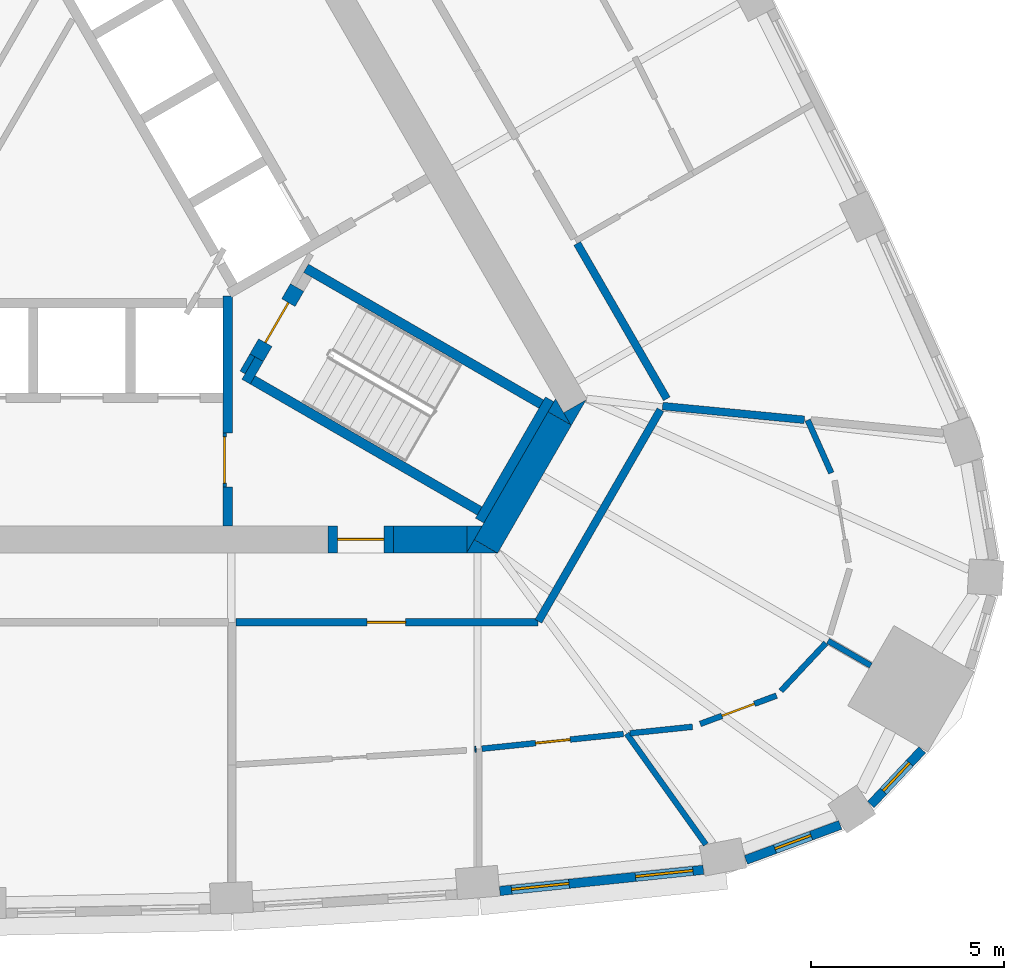
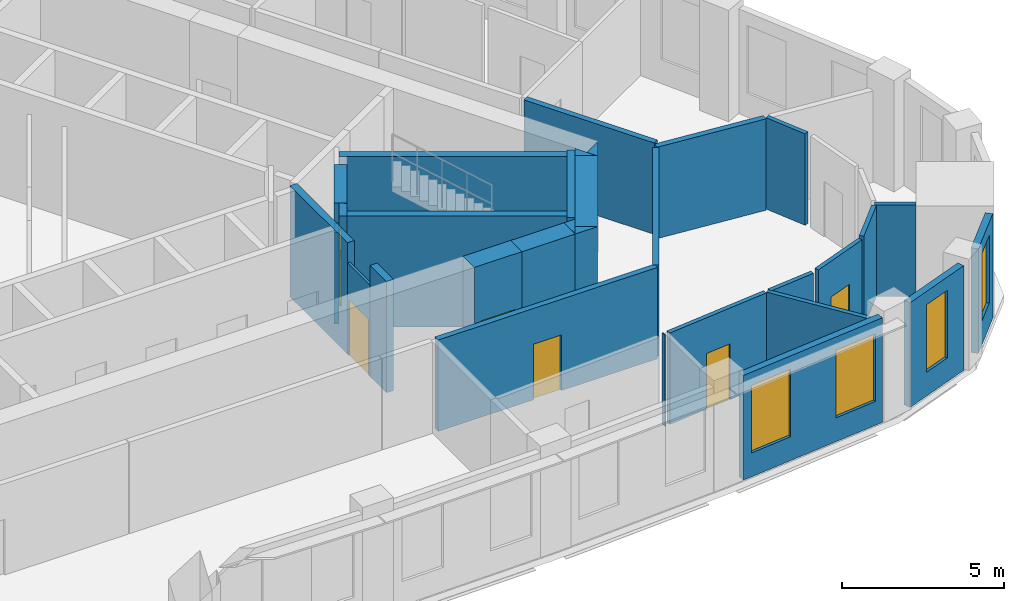
# One storey, part 6 of 10: 31 walls, 6 doors, 4 windows, 10 openings.
"""IFC4 building model written with IfcOpenShell, lengths in metres."""

from ifc_helpers import new_model, si_unit, direction, frame, frame_2d, origin, place, context, subcontext, project, spatial, polyline, rectangle, outline, extrude, material, layer, layer_set, type_object, element, fill, save


model = new_model("IFC4")

# Units and contexts
model_context = context("Model", 3, precision=1e-05, world=origin(), true_north=direction((0.0, 1.0)))
body_context = subcontext(model_context, "Body", "Model", "MODEL_VIEW")
ifc_project = project(units=[si_unit("LENGTHUNIT", "METRE"), si_unit("AREAUNIT", "SQUARE_METRE"), si_unit("VOLUMEUNIT", "CUBIC_METRE"), si_unit("PLANEANGLEUNIT", "RADIAN"), si_unit("MASSUNIT", "GRAM", prefix="KILO")], contexts=[model_context])

# Site, building, storey
site_placement = place(None, origin())
site = spatial("IfcSite", under=ifc_project, at=site_placement, CompositionType="ELEMENT")
building_placement = place(site_placement, origin())
building = spatial("IfcBuilding", under=site, at=building_placement, Name="Mestral Congress Tower", CompositionType="ELEMENT")
storey_placement = place(building_placement, frame((0.0, 0.0, 226.800048828125)))
storey = spatial("IfcBuildingStorey", under=building, at=storey_placement, Name="L53", CompositionType="ELEMENT", Elevation=226.800048828125)

# Wall
ifc_material_1 = material(Name="Fire-rated board partition")
ifc_layer_1 = layer(ifc_material_1, 0.14990234375)
ifc_layer_set_1 = layer_set([ifc_layer_1], Name="Fire-rated board partition")
wall_type_1 = type_object("IfcWallType", Name="Core partition 150", PredefinedType="PARTITIONING", material=ifc_layer_set_1)
wall_1_placement = place(storey_placement, frame((6.94482421875, -5.22216796875, 0.0), z_axis=(0.0, 0.0, 1.0), x_axis=(-0.499818422106, -0.866130212453, 0.0)))
element("IfcWall", 1, at=wall_1_placement, inside=storey, type_object=wall_type_1, Name="L53 core wall", PredefinedType="PARTITIONING", context=body_context, shape_type="SweptSolid", body=[
    extrude(rectangle(XDim=0.513916015625, YDim=0.14990234375, at=frame_2d((0.2568359375, 0.0))), origin(), (0.0, 0.0, 1.0), 3.449951171875),
])

# Wall, opening, door
ifc_layer_2 = layer(ifc_material_1, 0.090087890625)
ifc_layer_set_2 = layer_set([ifc_layer_2], Name="Fire-rated board partition")
wall_type_2 = type_object("IfcWallType", Name="Core partition 150 door-wall 90", PredefinedType="PARTITIONING", material=ifc_layer_set_2)
wall_2_placement = place(storey_placement, frame((6.219970703125, -7.23681640625, 0.0), z_axis=(0.0, 0.0, 1.0), x_axis=(0.0, -1.0, 0.0)))
wall_2 = element("IfcWall", 2, at=wall_2_placement, inside=storey, type_object=wall_type_2, Name="L53 door wall", PredefinedType="PARTITIONING", context=body_context, shape_type="SweptSolid", body=[
    extrude(rectangle(XDim=1.400146484375, YDim=0.090087890625, at=frame_2d((0.7001953125, 0.0))), origin(), (0.0, 0.0, 1.0), 3.449951171875),
])
opening_1_placement = place(wall_2_placement, frame((0.10009765625, 0.0, 0.0)))
opening_1 = element("IfcOpeningElement", 3, at=opening_1_placement, cuts=wall_2, Name="Opening LB0-WL1", PredefinedType="OPENING", context=body_context, shape_type="SweptSolid", body=[
    extrude(rectangle(XDim=1.199951171875, YDim=2.10009765625, at=frame_2d((0.60009765625, 1.050048828125))), frame((0.0, 0.054931640625, 0.0), z_axis=(0.0, -1.0, 0.0), x_axis=(1.0, 0.0, 0.0)), (0.0, 0.0, 1.0), 0.110107421875),
])
ifc_material_2 = material(Name="Fire-rated steel door set", Category="steel")
door_type_1 = type_object("IfcDoorType", Name="Core door LB 1200x2100", OperationType="SINGLE_SWING_LEFT", PredefinedType="DOOR", material=ifc_material_2)
door_1_placement = place(opening_1_placement, origin())
door_1 = element("IfcDoor", 4, at=door_1_placement, inside=storey, type_object=door_type_1, Name="Door LB0-WL1", OperationType="SINGLE_SWING_LEFT", OverallHeight=2.10009765625, OverallWidth=1.199951171875, PredefinedType="DOOR", context=body_context, shape_type="SweptSolid", body=[
    extrude(rectangle(XDim=1.199951171875, YDim=2.10009765625, at=frame_2d((0.60009765625, 1.050048828125))), frame((0.0, 0.02490234375, 0.0), z_axis=(0.0, -1.0, 0.0), x_axis=(1.0, 0.0, 0.0)), (0.0, 0.0, 1.0), 0.050048828125),
])
fill(opening_1, door_1)

# Walls
ifc_material_3 = material(Name="Concrete C60/75", Category="concrete")
ifc_layer_3 = layer(ifc_material_3, 0.699951171875)
ifc_layer_set_3 = layer_set([ifc_layer_3], Name="Concrete C60/75")
wall_type_3 = type_object("IfcWallType", Name="Core wall RC 700", PredefinedType="SOLIDWALL", material=ifc_layer_set_3)
placement = place(storey_placement, origin())
element("IfcWall", 5, at=placement, inside=storey, type_object=wall_type_3, Name="L53 core wall", PredefinedType="SOLIDWALL", context=body_context, shape_type="SweptSolid", body=[
    extrude(outline(polyline([(15.213134765625, -7.050048828125), (15.019287109375, -6.714111328125), (15.60107421875, -6.3779296875), (15.213134765625, -7.050048828125)])), origin(), (0.0, 0.0, 1.0), 4.199951171875),
])
wall_4_placement = place(storey_placement, frame((13.002685546875, -10.1787109375, 0.0), z_axis=(0.0, 0.0, 1.0), x_axis=(0.499972675833, 0.866041178825, 0.0)))
element("IfcWall", 6, at=wall_4_placement, inside=storey, type_object=wall_type_3, Name="L53 core wall", PredefinedType="SOLIDWALL", context=body_context, shape_type="SweptSolid", body=[
    extrude(rectangle(XDim=3.828857421875, YDim=0.699951171875, at=frame_2d((1.91455078125, 0.0))), origin(), (0.0, 0.0, 1.0), 4.199951171875),
])
element("IfcWall", 7, at=placement, inside=storey, type_object=wall_type_3, Name="L53 core wall", PredefinedType="SOLIDWALL", context=body_context, shape_type="SweptSolid", body=[
    extrude(outline(polyline([(12.698486328125, -10.00537109375), (13.295654296875, -10.35009765625), (12.49951171875, -10.35009765625), (12.698486328125, -10.00537109375)])), origin(), (0.0, 0.0, 1.0), 4.199951171875),
])
element("IfcWall", 8, at=placement, inside=storey, type_object=wall_type_3, Name="L53 core wall", PredefinedType="SOLIDWALL", context=body_context, shape_type="SweptSolid", body=[
    extrude(outline(polyline([(14.80908203125, -6.35009765625), (15.197265625, -7.022216796875), (14.614990234375, -6.68603515625), (14.80908203125, -6.35009765625)])), origin(), (0.0, 0.0, 1.0), 4.199951171875),
])
wall_7_placement = place(storey_placement, frame((10.6044921875, -10.0, 0.0), z_axis=(0.0, 0.0, 1.0), x_axis=(1.0, 0.0, 0.0)))
element("IfcWall", 9, at=wall_7_placement, inside=storey, type_object=wall_type_3, Name="L53 core wall", PredefinedType="SOLIDWALL", context=body_context, shape_type="SweptSolid", body=[
    extrude(rectangle(XDim=1.909423828125, YDim=0.699951171875, at=frame_2d((0.95458984375, 0.0))), origin(), (0.0, 0.0, 1.0), 4.199951171875),
])
element("IfcWall", 10, at=placement, inside=storey, type_object=wall_type_3, Name="L53 core wall", PredefinedType="SOLIDWALL", context=body_context, shape_type="SweptSolid", body=[
    extrude(outline(polyline([(12.90380859375, -9.64990234375), (12.515869140625, -10.322021484375), (12.515869140625, -9.64990234375), (12.90380859375, -9.64990234375)])), origin(), (0.0, 0.0, 1.0), 4.199951171875),
])

# Wall, opening, door
wall_9_placement = place(storey_placement, frame((10.6044921875, -10.0, 0.0), z_axis=(0.0, 0.0, 1.0), x_axis=(-1.0, 0.0, 0.0)))
wall_9 = element("IfcWall", 11, at=wall_9_placement, inside=storey, type_object=wall_type_3, Name="L53 door wall", PredefinedType="SOLIDWALL", context=body_context, shape_type="SweptSolid", body=[
    extrude(rectangle(XDim=1.699951171875, YDim=0.699951171875, at=frame_2d((0.85009765625, 0.0))), origin(), (0.0, 0.0, 1.0), 4.199951171875),
])
opening_2_placement = place(wall_9_placement, frame((0.25, 0.0, 0.0)))
opening_2 = element("IfcOpeningElement", 12, at=opening_2_placement, cuts=wall_9, Name="Opening XD1", PredefinedType="OPENING", context=body_context, shape_type="SweptSolid", body=[
    extrude(rectangle(XDim=1.199951171875, YDim=2.10009765625, at=frame_2d((0.60009765625, 1.050048828125))), frame((0.0, 0.35986328125, 0.0), z_axis=(0.0, -1.0, 0.0), x_axis=(1.0, 0.0, 0.0)), (0.0, 0.0, 1.0), 0.719970703125),
])
door_type_2 = type_object("IfcDoorType", Name="Core door XD 1200x2100", OperationType="SINGLE_SWING_LEFT", PredefinedType="DOOR", material=ifc_material_2)
door_2_placement = place(opening_2_placement, origin())
door_2 = element("IfcDoor", 13, at=door_2_placement, inside=storey, type_object=door_type_2, Name="Door XD1", OperationType="SINGLE_SWING_LEFT", OverallHeight=2.10009765625, OverallWidth=1.199951171875, PredefinedType="DOOR", context=body_context, shape_type="SweptSolid", body=[
    extrude(rectangle(XDim=1.199951171875, YDim=2.10009765625, at=frame_2d((0.60009765625, 1.050048828125))), frame((0.0, 0.02490234375, 0.0), z_axis=(0.0, -1.0, 0.0), x_axis=(1.0, 0.0, 0.0)), (0.0, 0.0, 1.0), 0.050048828125),
])
fill(opening_2, door_2)

# Wall, openings, windows
ifc_material_4 = material(Name="Precast concrete C40/50 with limestone facing", Category="masonry")
ifc_layer_4 = layer(ifc_material_4, 0.239990234375)
ifc_layer_set_4 = layer_set([ifc_layer_4], Name="Precast concrete C40/50 with limestone facing")
wall_type_4 = type_object("IfcWallType", Name="Facade stone wall 240", PredefinedType="SOLIDWALL", material=ifc_layer_set_4)
wall_10_placement = place(storey_placement, frame((13.362060546875, -19.12109375, 0.0), z_axis=(0.0, 0.0, 1.0), x_axis=(0.994621961215, 0.103571976272, 0.0)))
wall_10 = element("IfcWall", 14, at=wall_10_placement, inside=storey, type_object=wall_type_4, Name="Facade wall F0-05", PredefinedType="SOLIDWALL", context=body_context, shape_type="SweptSolid", body=[
    extrude(rectangle(XDim=5.310791015625, YDim=0.239990234375, at=frame_2d((2.6552734375, 0.0))), origin(), (0.0, 0.0, 1.0), 3.949951171875),
])
opening_3_placement = place(wall_10_placement, frame((0.306396484375, 0.0, 0.89990234375)))
opening_3 = element("IfcOpeningElement", 15, at=opening_3_placement, cuts=wall_10, Name="Opening W4", PredefinedType="OPENING", context=body_context, shape_type="SweptSolid", body=[
    extrude(rectangle(XDim=1.5, YDim=2.550048828125, at=frame_2d((0.75, 1.27490234375))), frame((0.0, 0.1298828125, 0.0), z_axis=(0.0, -1.0, 0.0), x_axis=(1.0, 0.0, 0.0)), (0.0, 0.0, 1.0), 0.260009765625),
])
opening_4_placement = place(wall_10_placement, frame((3.539306640625, 0.0, 0.89990234375)))
opening_4 = element("IfcOpeningElement", 16, at=opening_4_placement, cuts=wall_10, Name="Opening W4", PredefinedType="OPENING", context=body_context, shape_type="SweptSolid", body=[
    extrude(rectangle(XDim=1.5, YDim=2.550048828125, at=frame_2d((0.75, 1.27490234375))), frame((0.0, 0.1298828125, 0.0), z_axis=(0.0, -1.0, 0.0), x_axis=(1.0, 0.0, 0.0)), (0.0, 0.0, 1.0), 0.260009765625),
])
ifc_material_5 = material(Name="Clear low-emissivity double glazing", Category="glass")
window_type_1 = type_object("IfcWindowType", Name="Facade punched window 1500 x 2550 sill 900", PartitioningType="SINGLE_PANEL", PredefinedType="WINDOW", material=ifc_material_5)
window_1_placement = place(opening_3_placement, origin())
window_1 = element("IfcWindow", 17, at=window_1_placement, inside=storey, type_object=window_type_1, Name="Window F0-05a", OverallHeight=2.550048828125, OverallWidth=1.5, PartitioningType="SINGLE_PANEL", PredefinedType="WINDOW", context=body_context, shape_type="SweptSolid", body=[
    extrude(rectangle(XDim=1.5, YDim=2.550048828125, at=frame_2d((0.75, 1.27490234375))), frame((0.0, 0.0400390625, 0.0), z_axis=(0.0, -1.0, 0.0), x_axis=(1.0, 0.0, 0.0)), (0.0, 0.0, 1.0), 0.06005859375),
])
fill(opening_3, window_1)
window_2_placement = place(opening_4_placement, origin())
window_2 = element("IfcWindow", 18, at=window_2_placement, inside=storey, type_object=window_type_1, Name="Window F0-05b", OverallHeight=2.550048828125, OverallWidth=1.5, PartitioningType="SINGLE_PANEL", PredefinedType="WINDOW", context=body_context, shape_type="SweptSolid", body=[
    extrude(rectangle(XDim=1.5, YDim=2.550048828125, at=frame_2d((0.75, 1.27490234375))), frame((0.0, 0.0400390625, 0.0), z_axis=(0.0, -1.0, 0.0), x_axis=(1.0, 0.0, 0.0)), (0.0, 0.0, 1.0), 0.06005859375),
])
fill(opening_4, window_2)

# Wall, opening, window
wall_11_placement = place(storey_placement, frame((19.747802734375, -18.31396484375, 0.0), z_axis=(0.0, 0.0, 1.0), x_axis=(0.937569171184, 0.347798863203, 0.0)))
wall_11 = element("IfcWall", 19, at=wall_11_placement, inside=storey, type_object=wall_type_4, Name="Facade wall K0-0", PredefinedType="SOLIDWALL", context=body_context, shape_type="SweptSolid", body=[
    extrude(rectangle(XDim=2.609130859375, YDim=0.239990234375, at=frame_2d((1.3046875, 0.0))), origin(), (0.0, 0.0, 1.0), 3.949951171875),
])
opening_5_placement = place(wall_11_placement, frame((0.8046875, 0.0, 0.89990234375)))
opening_5 = element("IfcOpeningElement", 20, at=opening_5_placement, cuts=wall_11, Name="Opening W5", PredefinedType="OPENING", context=body_context, shape_type="SweptSolid", body=[
    extrude(rectangle(XDim=1.0, YDim=2.550048828125, at=frame_2d((0.5, 1.27490234375))), frame((0.0, 0.1298828125, 0.0), z_axis=(0.0, -1.0, 0.0), x_axis=(1.0, 0.0, 0.0)), (0.0, 0.0, 1.0), 0.260009765625),
])
window_type_2 = type_object("IfcWindowType", Name="Facade punched window 1000 x 2550 sill 900", PartitioningType="SINGLE_PANEL", PredefinedType="WINDOW", material=ifc_material_5)
window_3_placement = place(opening_5_placement, origin())
window_3 = element("IfcWindow", 21, at=window_3_placement, inside=storey, type_object=window_type_2, Name="Window K0-0", OverallHeight=2.550048828125, OverallWidth=1.0, PartitioningType="SINGLE_PANEL", PredefinedType="WINDOW", context=body_context, shape_type="SweptSolid", body=[
    extrude(rectangle(XDim=1.0, YDim=2.550048828125, at=frame_2d((0.5, 1.27490234375))), frame((0.0, 0.0400390625, 0.0), z_axis=(0.0, -1.0, 0.0), x_axis=(1.0, 0.0, 0.0)), (0.0, 0.0, 1.0), 0.06005859375),
])
fill(opening_5, window_3)

wall_12_placement = place(storey_placement, frame((22.989013671875, -16.87890625, 0.0), z_axis=(0.0, 0.0, 1.0), x_axis=(0.684770274166, 0.728758994194, 0.0)))
wall_12 = element("IfcWall", 22, at=wall_12_placement, inside=storey, type_object=wall_type_4, Name="Facade wall K0-1", PredefinedType="SOLIDWALL", context=body_context, shape_type="SweptSolid", body=[
    extrude(rectangle(XDim=1.947998046875, YDim=0.239990234375, at=frame_2d((0.97412109375, 0.0))), origin(), (0.0, 0.0, 1.0), 3.949951171875),
])
opening_6_placement = place(wall_12_placement, frame((0.47412109375, 0.0, 0.89990234375)))
opening_6 = element("IfcOpeningElement", 23, at=opening_6_placement, cuts=wall_12, Name="Opening W5", PredefinedType="OPENING", context=body_context, shape_type="SweptSolid", body=[
    extrude(rectangle(XDim=1.0, YDim=2.550048828125, at=frame_2d((0.5, 1.27490234375))), frame((0.0, 0.1298828125, 0.0), z_axis=(0.0, -1.0, 0.0), x_axis=(1.0, 0.0, 0.0)), (0.0, 0.0, 1.0), 0.260009765625),
])
window_4_placement = place(opening_6_placement, origin())
window_4 = element("IfcWindow", 24, at=window_4_placement, inside=storey, type_object=window_type_2, Name="Window K0-1", OverallHeight=2.550048828125, OverallWidth=1.0, PartitioningType="SINGLE_PANEL", PredefinedType="WINDOW", context=body_context, shape_type="SweptSolid", body=[
    extrude(rectangle(XDim=1.0, YDim=2.550048828125, at=frame_2d((0.5, 1.27490234375))), frame((0.0, 0.0400390625, 0.0), z_axis=(0.0, -1.0, 0.0), x_axis=(1.0, 0.0, 0.0)), (0.0, 0.0, 1.0), 0.06005859375),
])
fill(opening_6, window_4)

# Walls
ifc_material_6 = material(Name="Plasterboard partition on steel studs", Category="steel")
ifc_layer_5 = layer(ifc_material_6, 0.14990234375)
ifc_layer_set_5 = layer_set([ifc_layer_5], Name="Plasterboard partition on steel studs")
wall_type_5 = type_object("IfcWallType", Name="Office partition 150", PredefinedType="PARTITIONING", material=ifc_layer_set_5)
wall_13_placement = place(storey_placement, frame((12.713134765625, -15.448486328125, 0.0), z_axis=(0.0, 0.0, 1.0), x_axis=(0.995106821048, 0.098804932586, 0.0)))
element("IfcWall", 25, at=wall_13_placement, inside=storey, type_object=wall_type_5, Name="Partition", PredefinedType="PARTITIONING", context=body_context, shape_type="SweptSolid", body=[
    extrude(rectangle(XDim=0.03466796875, YDim=0.14990234375, at=frame_2d((0.017333984375, 0.0))), origin(), (0.0, 0.0, 1.0), 3.449951171875),
])
wall_14_placement = place(storey_placement, frame((16.65478515625, -15.0380859375, 0.0), z_axis=(0.0, 0.0, 1.0), x_axis=(0.580996489012, -0.813906063226, 0.0)))
element("IfcWall", 26, at=wall_14_placement, inside=storey, type_object=wall_type_5, Name="Partition", PredefinedType="PARTITIONING", context=body_context, shape_type="SweptSolid", body=[
    extrude(rectangle(XDim=3.53564453125, YDim=0.14990234375, at=frame_2d((1.767822265625, 0.0))), origin(), (0.0, 0.0, 1.0), 3.449951171875),
])

# Wall, opening, door
wall_15_placement = place(storey_placement, frame((16.569091796875, -15.047119140625, 0.0), z_axis=(0.0, 0.0, 1.0), x_axis=(-0.994621532294, -0.103576095197, 0.0)))
wall_15 = element("IfcWall", 27, at=wall_15_placement, inside=storey, type_object=wall_type_5, Name="Partition", PredefinedType="PARTITIONING", context=body_context, shape_type="SweptSolid", body=[
    extrude(rectangle(XDim=3.691162109375, YDim=0.14990234375, at=frame_2d((1.845703125, 0.0))), origin(), (0.0, 0.0, 1.0), 3.449951171875),
])
opening_7_placement = place(wall_15_placement, frame((1.39111328125, 0.0, 0.0)))
opening_7 = element("IfcOpeningElement", 28, at=opening_7_placement, cuts=wall_15, Name="Opening O08-008", PredefinedType="OPENING", context=body_context, shape_type="SweptSolid", body=[
    extrude(rectangle(XDim=0.89990234375, YDim=2.10009765625, at=frame_2d((0.449951171875, 1.050048828125))), frame((0.0, 0.0849609375, 0.0), z_axis=(0.0, -1.0, 0.0), x_axis=(1.0, 0.0, 0.0)), (0.0, 0.0, 1.0), 0.169921875),
])
ifc_material_7 = material(Name="Timber door set", Category="wood")
door_type_3 = type_object("IfcDoorType", Name="Office door 900x2100", OperationType="SINGLE_SWING_LEFT", PredefinedType="DOOR", material=ifc_material_7)
door_3_placement = place(opening_7_placement, origin())
door_3 = element("IfcDoor", 29, at=door_3_placement, inside=storey, type_object=door_type_3, Name="Door O08-008", OperationType="SINGLE_SWING_LEFT", OverallHeight=2.10009765625, OverallWidth=0.89990234375, PredefinedType="DOOR", context=body_context, shape_type="SweptSolid", body=[
    extrude(rectangle(XDim=0.89990234375, YDim=2.10009765625, at=frame_2d((0.449951171875, 1.050048828125))), frame((0.0, 0.02490234375, 0.0), z_axis=(0.0, -1.0, 0.0), x_axis=(1.0, 0.0, 0.0)), (0.0, 0.0, 1.0), 0.050048828125),
])
fill(opening_7, door_3)

# Walls
wall_16_placement = place(storey_placement, frame((21.876708984375, -12.63037109375, 0.0), z_axis=(0.0, 0.0, 1.0), x_axis=(0.86599869919, -0.500046250861, 0.0)))
element("IfcWall", 30, at=wall_16_placement, inside=storey, type_object=wall_type_5, Name="Partition", PredefinedType="PARTITIONING", context=body_context, shape_type="SweptSolid", body=[
    extrude(rectangle(XDim=1.28369140625, YDim=0.14990234375, at=frame_2d((0.641845703125, 0.0))), origin(), (0.0, 0.0, 1.0), 3.449951171875),
])
wall_17_placement = place(storey_placement, frame((16.740478515625, -15.029296875, 0.0), z_axis=(0.0, 0.0, 1.0), x_axis=(0.994614871477, 0.103640037805, 0.0)))
element("IfcWall", 31, at=wall_17_placement, inside=storey, type_object=wall_type_5, Name="Partition", PredefinedType="PARTITIONING", context=body_context, shape_type="SweptSolid", body=[
    extrude(rectangle(XDim=1.630126953125, YDim=0.14990234375, at=frame_2d((0.81494140625, 0.0))), origin(), (0.0, 0.0, 1.0), 3.449951171875),
])

# Wall, opening, door
wall_18_placement = place(storey_placement, frame((20.540771484375, -14.05224609375, 0.0), z_axis=(0.0, 0.0, 1.0), x_axis=(-0.937602119917, -0.347710029662, 0.0)))
wall_18 = element("IfcWall", 32, at=wall_18_placement, inside=storey, type_object=wall_type_5, Name="Partition", PredefinedType="PARTITIONING", context=body_context, shape_type="SweptSolid", body=[
    extrude(rectangle(XDim=2.10986328125, YDim=0.14990234375, at=frame_2d((1.054931640625, 0.0))), origin(), (0.0, 0.0, 1.0), 3.449951171875),
])
opening_8_placement = place(wall_18_placement, frame((0.609619140625, 0.0, 0.0)))
opening_8 = element("IfcOpeningElement", 33, at=opening_8_placement, cuts=wall_18, Name="Opening O08-009", PredefinedType="OPENING", context=body_context, shape_type="SweptSolid", body=[
    extrude(rectangle(XDim=0.89990234375, YDim=2.10009765625, at=frame_2d((0.449951171875, 1.050048828125))), frame((0.0, 0.0849609375, 0.0), z_axis=(0.0, -1.0, 0.0), x_axis=(1.0, 0.0, 0.0)), (0.0, 0.0, 1.0), 0.169921875),
])
door_4_placement = place(opening_8_placement, origin())
door_4 = element("IfcDoor", 34, at=door_4_placement, inside=storey, type_object=door_type_3, Name="Door O08-009", OperationType="SINGLE_SWING_RIGHT", OverallHeight=2.10009765625, OverallWidth=0.89990234375, PredefinedType="DOOR", context=body_context, shape_type="SweptSolid", body=[
    extrude(rectangle(XDim=0.89990234375, YDim=2.10009765625, at=frame_2d((0.449951171875, 1.050048828125))), frame((0.0, 0.02490234375, 0.0), z_axis=(0.0, -1.0, 0.0), x_axis=(1.0, 0.0, 0.0)), (0.0, 0.0, 1.0), 0.050048828125),
])
fill(opening_8, door_4)

# Walls
wall_19_placement = place(storey_placement, frame((20.656005859375, -13.929443359375, 0.0), z_axis=(0.0, 0.0, 1.0), x_axis=(0.684716940988, 0.728809104447, 0.0)))
element("IfcWall", 35, at=wall_19_placement, inside=storey, type_object=wall_type_5, Name="Partition", PredefinedType="PARTITIONING", context=body_context, shape_type="SweptSolid", body=[
    extrude(rectangle(XDim=1.705322265625, YDim=0.14990234375, at=frame_2d((0.8525390625, 0.0))), origin(), (0.0, 0.0, 1.0), 3.449951171875),
])
wall_20_placement = place(storey_placement, frame((21.962890625, -8.27587890625, 0.0), z_axis=(0.0, 0.0, 1.0), x_axis=(-0.407510458183, 0.913200540118, 0.0)))
element("IfcWall", 36, at=wall_20_placement, inside=storey, type_object=wall_type_5, Name="Partition", PredefinedType="PARTITIONING", context=body_context, shape_type="SweptSolid", body=[
    extrude(rectangle(XDim=1.501953125, YDim=0.14990234375, at=frame_2d((0.7509765625, 0.0))), origin(), (0.0, 0.0, 1.0), 3.449951171875),
])
ifc_material_8 = material(Name="Dense masonry wall, plastered", Category="masonry")
ifc_layer_6 = layer(ifc_material_8, 0.199951171875)
ifc_layer_set_6 = layer_set([ifc_layer_6], Name="Dense masonry wall, plastered")
wall_type_6 = type_object("IfcWallType", Name="Office tenancy wall 200", PredefinedType="PARTITIONING", material=ifc_layer_set_6)
wall_21_placement = place(storey_placement, frame((17.5859375, -6.540283203125, 0.0), z_axis=(0.0, 0.0, 1.0), x_axis=(0.995358181524, -0.096239755158, 0.0)))
element("IfcWall", 37, at=wall_21_placement, inside=storey, type_object=wall_type_6, Name="Tenancy wall", PredefinedType="PARTITIONING", context=body_context, shape_type="SweptSolid", body=[
    extrude(rectangle(XDim=3.696044921875, YDim=0.199951171875, at=frame_2d((1.84814453125, 0.0))), origin(), (0.0, 0.0, 1.0), 3.449951171875),
])

# Wall, opening, door
wall_22_placement = place(storey_placement, frame((6.516845703125, -12.14990234375, 0.0), z_axis=(0.0, 0.0, 1.0), x_axis=(1.0, 0.0, 0.0)))
wall_22 = element("IfcWall", 38, at=wall_22_placement, inside=storey, type_object=wall_type_6, Name="Tenancy wall", PredefinedType="PARTITIONING", context=body_context, shape_type="SweptSolid", body=[
    extrude(rectangle(XDim=7.830322265625, YDim=0.199951171875, at=frame_2d((3.9150390625, 0.0))), origin(), (0.0, 0.0, 1.0), 3.449951171875),
])
opening_9_placement = place(wall_22_placement, frame((3.39990234375, 0.0, 0.0)))
opening_9 = element("IfcOpeningElement", 39, at=opening_9_placement, cuts=wall_22, Name="Opening O08-011", PredefinedType="OPENING", context=body_context, shape_type="SweptSolid", body=[
    extrude(rectangle(XDim=1.0, YDim=2.10009765625, at=frame_2d((0.5, 1.050048828125))), frame((0.0, 0.10986328125, 0.0), z_axis=(0.0, -1.0, 0.0), x_axis=(1.0, 0.0, 0.0)), (0.0, 0.0, 1.0), 0.219970703125),
])
ifc_material_9 = material(Name="Fire-rated timber door set", Category="wood")
door_type_4 = type_object("IfcDoorType", Name="Office tenancy entrance door 1000x2100", OperationType="SINGLE_SWING_LEFT", PredefinedType="DOOR", material=ifc_material_9)
door_5_placement = place(opening_9_placement, origin())
door_5 = element("IfcDoor", 40, at=door_5_placement, inside=storey, type_object=door_type_4, Name="Door O08-011", OperationType="SINGLE_SWING_LEFT", OverallHeight=2.10009765625, OverallWidth=1.0, PredefinedType="DOOR", context=body_context, shape_type="SweptSolid", body=[
    extrude(rectangle(XDim=1.0, YDim=2.10009765625, at=frame_2d((0.5, 1.050048828125))), frame((0.0, 0.02490234375, 0.0), z_axis=(0.0, -1.0, 0.0), x_axis=(1.0, 0.0, 0.0)), (0.0, 0.0, 1.0), 0.050048828125),
])
fill(opening_9, door_5)

# Walls
wall_23_placement = place(storey_placement, frame((14.362060546875, -12.1240234375, 0.0), z_axis=(0.0, 0.0, 1.0), x_axis=(0.500017005442, 0.866015585465, 0.0)))
element("IfcWall", 41, at=wall_23_placement, inside=storey, type_object=wall_type_6, Name="Tenancy wall", PredefinedType="PARTITIONING", context=body_context, shape_type="SweptSolid", body=[
    extrude(rectangle(XDim=6.337646484375, YDim=0.199951171875, at=frame_2d((3.1689453125, 0.0))), origin(), (0.0, 0.0, 1.0), 3.449951171875),
])
wall_24_placement = place(storey_placement, frame((17.69580078125, -6.35009765625, 0.0), z_axis=(0.0, 0.0, 1.0), x_axis=(-0.499976825411, 0.866038783226, 0.0)))
element("IfcWall", 42, at=wall_24_placement, inside=storey, type_object=wall_type_6, Name="Tenancy wall", PredefinedType="PARTITIONING", context=body_context, shape_type="SweptSolid", body=[
    extrude(rectangle(XDim=4.652587890625, YDim=0.199951171875, at=frame_2d((2.326171875, 0.0))), origin(), (0.0, 0.0, 1.0), 3.449951171875),
])
ifc_layer_7 = layer(ifc_material_3, 0.25)
ifc_layer_set_7 = layer_set([ifc_layer_7], Name="Concrete C60/75")
wall_type_7 = type_object("IfcWallType", Name="Shaft wall RC 250", PredefinedType="SOLIDWALL", material=ifc_layer_set_7)
wall_25_placement = place(storey_placement, frame((6.300048828125, -7.239990234375, 0.0), z_axis=(0.0, 0.0, 1.0), x_axis=(0.0, 1.0, 0.0)))
element("IfcWall", 43, at=wall_25_placement, inside=storey, type_object=wall_type_7, Name="L53 core wall", PredefinedType="SOLIDWALL", context=body_context, shape_type="SweptSolid", body=[
    extrude(rectangle(XDim=3.55615234375, YDim=0.25, at=frame_2d((1.778076171875, 0.0))), origin(), (0.0, 0.0, 1.0), 4.199951171875),
])
wall_26_placement = place(storey_placement, frame((6.300048828125, -9.64990234375, 0.0), z_axis=(0.0, 0.0, 1.0), x_axis=(0.0, 1.0, 0.0)))
element("IfcWall", 44, at=wall_26_placement, inside=storey, type_object=wall_type_7, Name="L53 core wall", PredefinedType="SOLIDWALL", context=body_context, shape_type="SweptSolid", body=[
    extrude(rectangle(XDim=1.0078125, YDim=0.25, at=frame_2d((0.50390625, 0.0))), origin(), (0.0, 0.0, 1.0), 4.199951171875),
])
ifc_layer_8 = layer(ifc_material_3, 0.25)
ifc_layer_set_8 = layer_set([ifc_layer_8], Name="Concrete C60/75")
wall_type_8 = type_object("IfcWallType", Name="Stair wall RC 250", PredefinedType="SOLIDWALL", material=ifc_layer_set_8)
wall_27_placement = place(storey_placement, frame((12.839599609375, -9.510986328125, 0.0), z_axis=(0.0, 0.0, 1.0), x_axis=(0.500048121057, 0.865997619297, 0.0)))
element("IfcWall", 45, at=wall_27_placement, inside=storey, type_object=wall_type_8, Name="L53 core wall", PredefinedType="SOLIDWALL", context=body_context, shape_type="SweptSolid", body=[
    extrude(rectangle(XDim=3.634033203125, YDim=0.25, at=frame_2d((1.81689453125, 0.0))), origin(), (0.0, 0.0, 1.0), 4.199951171875),
])
wall_28_placement = place(storey_placement, frame((12.83984375, -9.2607421875, 0.0), z_axis=(0.0, 0.0, 1.0), x_axis=(-0.866013990052, 0.500019768644, 0.0)))
element("IfcWall", 46, at=wall_28_placement, inside=storey, type_object=wall_type_8, Name="L53 core wall", PredefinedType="SOLIDWALL", context=body_context, shape_type="SweptSolid", body=[
    extrude(rectangle(XDim=6.800048828125, YDim=0.25, at=frame_2d((3.39990234375, 0.0))), origin(), (0.0, 0.0, 1.0), 4.199951171875),
])
wall_29_placement = place(storey_placement, frame((6.780029296875, -5.906494140625, 0.0), z_axis=(0.0, 0.0, 1.0), x_axis=(0.500223362819, 0.865896406789, 0.0)))
element("IfcWall", 47, at=wall_29_placement, inside=storey, type_object=wall_type_8, Name="L53 core wall", PredefinedType="SOLIDWALL", context=body_context, shape_type="SweptSolid", body=[
    extrude(rectangle(XDim=0.675048828125, YDim=0.25, at=frame_2d((0.33740234375, 0.0))), origin(), (0.0, 0.0, 1.0), 4.199951171875),
])
wall_30_placement = place(storey_placement, frame((8.33447265625, -2.96435546875, 0.0), z_axis=(0.0, 0.0, 1.0), x_axis=(0.866016039709, -0.500016218704, 0.0)))
element("IfcWall", 48, at=wall_30_placement, inside=storey, type_object=wall_type_8, Name="L53 core wall", PredefinedType="SOLIDWALL", context=body_context, shape_type="SweptSolid", body=[
    extrude(rectangle(XDim=7.050048828125, YDim=0.25, at=frame_2d((3.52490234375, 0.0))), origin(), (0.0, 0.0, 1.0), 4.199951171875),
])

# Wall, opening, door
ifc_layer_9 = layer(ifc_material_3, 0.39990234375)
ifc_layer_set_9 = layer_set([ifc_layer_9], Name="Concrete C60/75")
wall_type_9 = type_object("IfcWallType", Name="Stair wall RC 250 door-wall 400", PredefinedType="SOLIDWALL", material=ifc_layer_set_9)
wall_31_placement = place(storey_placement, frame((7.052734375, -5.2841796875, 0.0), z_axis=(0.0, 0.0, 1.0), x_axis=(0.500078061341, 0.865980330357, 0.0)))
wall_31 = element("IfcWall", 49, at=wall_31_placement, inside=storey, type_object=wall_type_9, Name="L53 door wall", PredefinedType="SOLIDWALL", context=body_context, shape_type="SweptSolid", body=[
    extrude(rectangle(XDim=2.099853515625, YDim=0.39990234375, at=frame_2d((1.0498046875, 0.0))), origin(), (0.0, 0.0, 1.0), 4.199951171875),
])
opening_10_placement = place(wall_31_placement, frame((0.449951171875, 0.0, 0.0)))
opening_10 = element("IfcOpeningElement", 50, at=opening_10_placement, cuts=wall_31, Name="Opening ST-D1", PredefinedType="OPENING", context=body_context, shape_type="SweptSolid", body=[
    extrude(rectangle(XDim=1.199951171875, YDim=2.10009765625, at=frame_2d((0.60009765625, 1.050048828125))), frame((0.0, 0.2099609375, 0.0), z_axis=(0.0, -1.0, 0.0), x_axis=(1.0, 0.0, 0.0)), (0.0, 0.0, 1.0), 0.419921875),
])
door_type_5 = type_object("IfcDoorType", Name="Core door ST 1200x2100", OperationType="SINGLE_SWING_LEFT", PredefinedType="DOOR", material=ifc_material_2)
door_6_placement = place(opening_10_placement, origin())
door_6 = element("IfcDoor", 51, at=door_6_placement, inside=storey, type_object=door_type_5, Name="Door ST-D1", OperationType="SINGLE_SWING_LEFT", OverallHeight=2.10009765625, OverallWidth=1.199951171875, PredefinedType="DOOR", context=body_context, shape_type="SweptSolid", body=[
    extrude(rectangle(XDim=1.199951171875, YDim=2.10009765625, at=frame_2d((0.60009765625, 1.050048828125))), frame((0.0, 0.02490234375, 0.0), z_axis=(0.0, -1.0, 0.0), x_axis=(1.0, 0.0, 0.0)), (0.0, 0.0, 1.0), 0.050048828125),
])
fill(opening_10, door_6)

save(model, "model.ifc")
